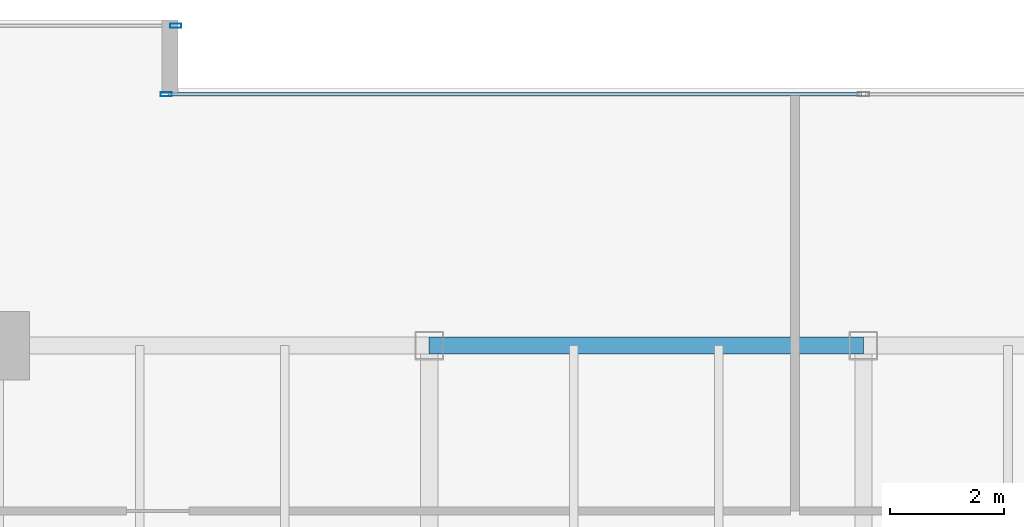
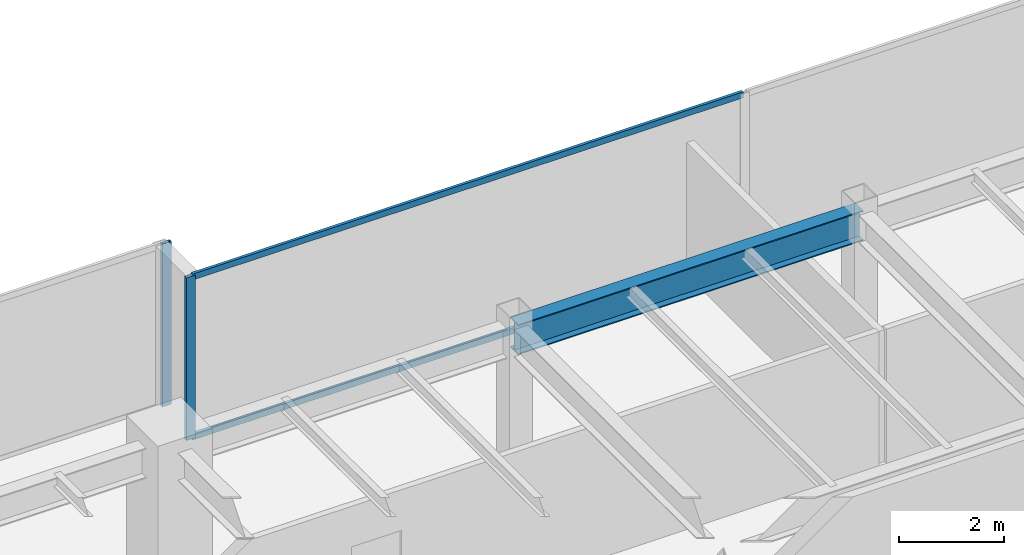
# One storey, part 16 of 30: 4 members, 1 beam, 2 elements without a shape of their own.
"""IFC4 building model written with IfcOpenShell, lengths in metres."""

from ifc_helpers import new_model, si_unit, direction, frame, origin, origin_2d, place, context, subcontext, project, spatial, hollow_rectangle, i_section, extrude, source, transform, mapped, material, layer, layer_set, material_profile, profile_set, type_object, type_shapes, element, aggregate, save


model = new_model("IFC4")

# Units and contexts
model_context = context("Model", 3, precision=1e-05, world=origin(), true_north=direction((0.0, 1.0)))
body_context = subcontext(model_context, "Body", "Model", "MODEL_VIEW")
ifc_project = project(units=[si_unit("LENGTHUNIT", "METRE"), si_unit("AREAUNIT", "SQUARE_METRE"), si_unit("VOLUMEUNIT", "CUBIC_METRE"), si_unit("PLANEANGLEUNIT", "RADIAN"), si_unit("MASSUNIT", "GRAM", prefix="KILO")], contexts=[model_context])

# Site, building, storey
site_placement = place(None, origin())
site = spatial("IfcSite", under=ifc_project, at=site_placement, CompositionType="ELEMENT")
building_placement = place(site_placement, origin())
building = spatial("IfcBuilding", under=site, at=building_placement, Name="Haelvirn Gate Laboratories", CompositionType="ELEMENT")
storey_placement = place(building_placement, frame((0.0, 0.0, 142.0)))
storey = spatial("IfcBuildingStorey", under=building, at=storey_placement, Name="L34", CompositionType="ELEMENT", Elevation=142.0)

# Beam
ifc_material_1 = material(Name="Steel SM355", Category="steel")
ifc_material_profile_1 = material_profile(ifc_material_1, i_section(OverallWidth=0.300048828125, OverallDepth=0.699951171875, WebThickness=0.012939453125, FlangeThickness=0.02392578125, at=origin_2d()), Name="H-700x300x13x24")
ifc_profile_set_1 = profile_set([ifc_material_profile_1], Name="Steel SM355")
beam_type = type_object("IfcBeamType", Name="BM-G-700", PredefinedType="BEAM", material=ifc_profile_set_1)
shared_shape_1 = source(origin(), body_context, "Body", "SweptSolid", [
    extrude(i_section(OverallWidth=0.300048828125, OverallDepth=0.699951171875, WebThickness=0.012939453125, FlangeThickness=0.02392578125, at=origin_2d()), origin(), (0.0, 0.0, 1.0), 7.599853515625),
])
type_shapes(beam_type, [shared_shape_1])
beam_placement = place(storey_placement, frame((29.800048828125, 41.60009765625, 3.43994140625), z_axis=(1.0, 0.0, 0.0), x_axis=(0.0, 1.0, 0.0)))
element("IfcBeam", 1, at=beam_placement, inside=storey, type_object=beam_type, Name="L34 Primary Girder Y41.6 (29.8-37.4)", PredefinedType="BEAM", context=body_context, shape_type="MappedRepresentation", body=[
    mapped(shared_shape_1, transform((0.0, 0.0, 0.0), scale=1.0)),
])

# Curtain wall, members
ifc_material_2 = material(Name="Anodised bronze unitised aluminium & triple low-E glass", Category="aluminium")
ifc_layer = layer(ifc_material_2, 0.179931640625, Name="CW-SYS-3")
ifc_layer_set = layer_set([ifc_layer], Name="Anodised bronze unitised aluminium & triple low-E glass")
curtain_wall_type = type_object("IfcCurtainWallType", Name="CW-SYS-3", PredefinedType="NOTDEFINED", material=ifc_layer_set)
curtain_wall_1_placement = place(storey_placement, origin())
curtain_wall_1 = element("IfcCurtainWall", 2, at=curtain_wall_1_placement, inside=storey, type_object=curtain_wall_type, Name="L34 Unitised Curtain Wall CW-L34-P0-E12-1", PredefinedType="NOTDEFINED")
ifc_material_3 = material(Name="Extruded aluminium 6063-T6 (anodised bronze)", Category="aluminium")
ifc_material_profile_2 = material_profile(ifc_material_3, hollow_rectangle(XDim=0.06494140625, YDim=0.139892578125, WallThickness=0.00390625, at=origin_2d()), Name="CWT-140x65x4")
ifc_profile_set_2 = profile_set([ifc_material_profile_2], Name="Extruded aluminium 6063-T6 (anodised bronze)")
member_type_1 = type_object("IfcMemberType", Name="CWT-T140", PredefinedType="USERDEFINED", material=ifc_profile_set_2)
shared_shape_2 = source(origin(), body_context, "Body", "SweptSolid", [
    extrude(hollow_rectangle(XDim=0.06494140625, YDim=0.139892578125, WallThickness=0.00390625, at=origin_2d()), origin(), (0.0, 0.0, 1.0), 12.12744140625),
])
type_shapes(member_type_1, [shared_shape_2])
member_1_placement = place(storey_placement, frame((25.235107421875, 46.0, 0.032470703125), z_axis=(1.0, 0.0, 0.0), x_axis=(0.0, 1.0, 0.0)))
member_1 = element("IfcMember", 3, at=member_1_placement, type_object=member_type_1, Name="CW3 transom 1.1", ObjectType="TRANSOM", PredefinedType="USERDEFINED", context=body_context, shape_type="MappedRepresentation", body=[
    mapped(shared_shape_2, transform((0.0, 0.0, 0.0), scale=1.0)),
])
member_2_placement = place(storey_placement, frame((25.235107421875, 46.0, 3.757568359375), z_axis=(1.0, 0.0, 0.0), x_axis=(0.0, 1.0, 0.0)))
member_2 = element("IfcMember", 4, at=member_2_placement, type_object=member_type_1, Name="CW3 transom 1.2", ObjectType="TRANSOM", PredefinedType="USERDEFINED", context=body_context, shape_type="MappedRepresentation", body=[
    mapped(shared_shape_2, transform((0.0, 0.0, 0.0), scale=1.0)),
])
ifc_material_profile_3 = material_profile(ifc_material_3, hollow_rectangle(XDim=0.074951171875, YDim=0.199951171875, WallThickness=0.0048828125, at=origin_2d()), Name="CWM-200x75x5")
ifc_profile_set_3 = profile_set([ifc_material_profile_3], Name="Extruded aluminium 6063-T6 (anodised bronze)")
member_type_2 = type_object("IfcMemberType", Name="CWM-T200", PredefinedType="MULLION", material=ifc_profile_set_3)
shared_shape_3 = source(origin(), body_context, "Body", "SweptSolid", [
    extrude(hollow_rectangle(XDim=0.074951171875, YDim=0.199951171875, WallThickness=0.0048828125, at=origin_2d()), origin(), (0.0, 0.0, 1.0), 3.7900390625),
])
type_shapes(member_type_2, [shared_shape_3])
member_3_placement = place(storey_placement, frame((25.197509765625, 46.0, 0.0), z_axis=(0.0, 0.0, 1.0), x_axis=(0.0, 1.0, 0.0)))
member_3 = element("IfcMember", 5, at=member_3_placement, type_object=member_type_2, Name="CW3 mullion 1", PredefinedType="MULLION", context=body_context, shape_type="MappedRepresentation", body=[
    mapped(shared_shape_3, transform((0.0, 0.0, 0.0), scale=1.0)),
])
aggregate(curtain_wall_1, [member_3, member_1, member_2])

# Curtain wall, member
curtain_wall_2_placement = place(storey_placement, origin())
curtain_wall_2 = element("IfcCurtainWall", 6, at=curtain_wall_2_placement, inside=storey, type_object=curtain_wall_type, Name="L34 Unitised Curtain Wall CW-L34-P0-E14-1", PredefinedType="NOTDEFINED")
member_4_placement = place(storey_placement, frame((25.362548828125, 47.199951171875, 0.0), z_axis=(0.0, 0.0, 1.0), x_axis=(0.0, 1.0, 0.0)))
member_4 = element("IfcMember", 7, at=member_4_placement, type_object=member_type_2, Name="CW3 mullion 3", PredefinedType="MULLION", context=body_context, shape_type="MappedRepresentation", body=[
    mapped(shared_shape_3, transform((0.0, 0.0, 0.0), scale=1.0)),
])
aggregate(curtain_wall_2, [member_4])

save(model, "model.ifc")
